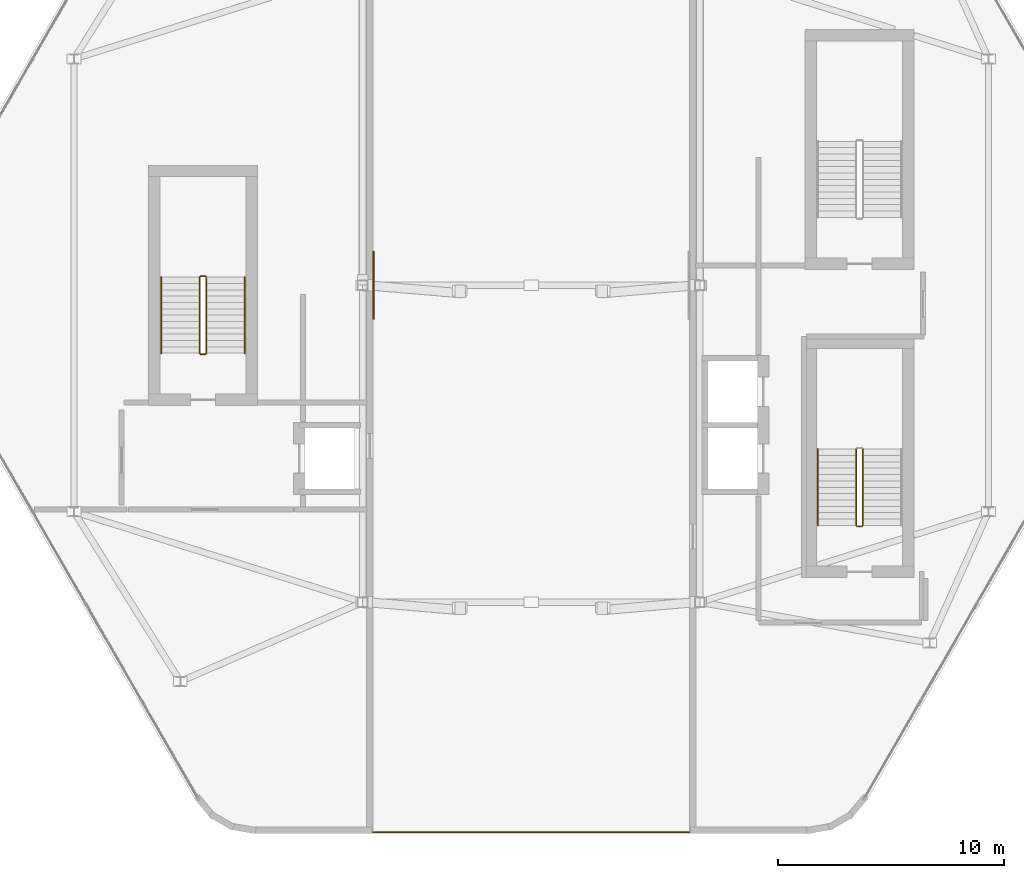
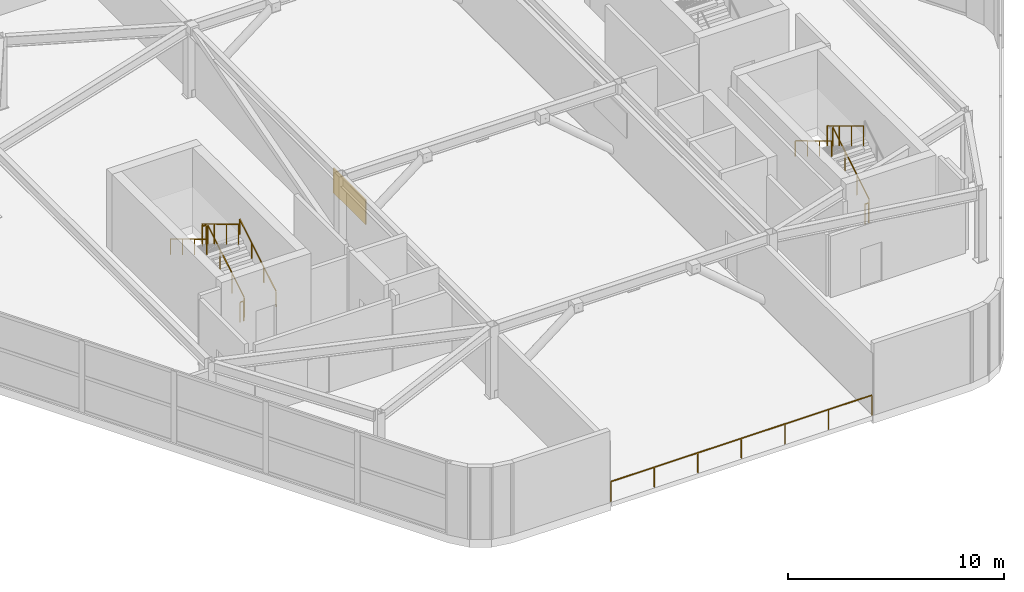
# One storey, part 16 of 17: 11 railings, 1 shading device.
"""IFC4 building model written with IfcOpenShell, lengths in metres."""

from ifc_helpers import new_model, si_unit, direction, frame, origin, origin_2d, place, context, subcontext, project, spatial, rectangle, extrude, material, layer, layer_set, type_object, element, save


model = new_model("IFC4")

# Units and contexts
model_context = context("Model", 3, precision=1e-05, world=origin(), true_north=direction((0.0, 1.0)))
body_context = subcontext(model_context, "Body", "Model", "MODEL_VIEW")
ifc_project = project(units=[si_unit("LENGTHUNIT", "METRE"), si_unit("AREAUNIT", "SQUARE_METRE"), si_unit("VOLUMEUNIT", "CUBIC_METRE"), si_unit("PLANEANGLEUNIT", "RADIAN"), si_unit("MASSUNIT", "GRAM", prefix="KILO")], contexts=[model_context])

# Site, building, storey
site_placement = place(None, origin())
site = spatial("IfcSite", under=ifc_project, at=site_placement, CompositionType="ELEMENT")
building_placement = place(site_placement, origin())
building = spatial("IfcBuilding", under=site, at=building_placement, Name="Zuhravey Tower", CompositionType="ELEMENT")
storey_placement = place(building_placement, frame((0.0, 0.0, 361.39990234375)))
storey = spatial("IfcBuildingStorey", under=building, at=storey_placement, Name="L92", CompositionType="ELEMENT", Elevation=361.39990234375)

# Railing
ifc_material_1 = material(Name="Stainless steel 316 and laminated glass", Category="steel")
railing_type_1 = type_object("IfcRailingType", Name="Balcony & Terrace Guardrail 1150", PredefinedType="BALUSTRADE", material=ifc_material_1)
railing_1_placement = place(storey_placement, frame((42.97998046875, 7.845947265625, 0.0)))
element("IfcRailing", 1, at=railing_1_placement, inside=storey, type_object=railing_type_1, Name="L92 Wind-Portal Open Edge Guardrail 2", PredefinedType="BALUSTRADE", context=body_context, shape_type="SweptSolid", body=[
    extrude(rectangle(XDim=0.048095703125, YDim=0.048095703125, at=origin_2d()), frame((-0.001953125, 0.0, 1.1259765625), z_axis=(-1.0, 0.0, 0.0), x_axis=(0.0, -1.0, 0.0)), (0.0, 0.0, 1.0), 13.9560546875),
    extrude(rectangle(XDim=0.0419921875, YDim=0.0419921875, at=origin_2d()), origin(), (0.0, 0.0, 1.0), 1.099853515625),
    extrude(rectangle(XDim=0.0419921875, YDim=0.0419921875, at=origin_2d()), frame((-2.32666015625, 0.0, 0.0)), (0.0, 0.0, 1.0), 1.099853515625),
    extrude(rectangle(XDim=0.0419921875, YDim=0.0419921875, at=origin_2d()), frame((-4.6533203125, 0.0, 0.0)), (0.0, 0.0, 1.0), 1.099853515625),
    extrude(rectangle(XDim=0.0419921875, YDim=0.0419921875, at=origin_2d()), frame((-6.97998046875, 0.0, 0.0)), (0.0, 0.0, 1.0), 1.099853515625),
    extrude(rectangle(XDim=0.0419921875, YDim=0.0419921875, at=origin_2d()), frame((-9.306640625, 0.0, 0.0)), (0.0, 0.0, 1.0), 1.099853515625),
    extrude(rectangle(XDim=0.0419921875, YDim=0.0419921875, at=origin_2d()), frame((-11.63330078125, 0.0, 0.0)), (0.0, 0.0, 1.0), 1.099853515625),
    extrude(rectangle(XDim=0.0419921875, YDim=0.0419921875, at=origin_2d()), frame((-13.9599609375, 0.0, 0.0)), (0.0, 0.0, 1.0), 1.099853515625),
])

# Shading device
ifc_material_2 = material(Name="Bronze-anodised perforated aluminium", Category="aluminium")
ifc_layer = layer(ifc_material_2, 0.06005859375)
ifc_layer_set = layer_set([ifc_layer], Name="Bronze-anodised perforated aluminium")
shading_device_type = type_object("IfcShadingDeviceType", Name="Girih Mashrabiya Solar Screen", PredefinedType="USERDEFINED", material=ifc_layer_set)
shading_device_placement = place(storey_placement, frame((29.030029296875, 32.0, 1.900146484375), z_axis=(0.0, 0.0, 1.0), x_axis=(0.0, 1.0, 0.0)))
element("IfcShadingDevice", 2, at=shading_device_placement, inside=storey, type_object=shading_device_type, Name="L92 WEST Wind-Portal Girih Screen SCR1", ObjectType="SCREEN", PredefinedType="USERDEFINED", context=body_context, shape_type="SweptSolid", body=[
    extrude(rectangle(XDim=3.0, YDim=0.06005859375, at=origin_2d()), origin(), (0.0, 0.0, 1.0), 1.39990234375),
])

# Railings
ifc_material_3 = material(Name="Brushed stainless steel", Category="steel")
railing_type_2 = type_object("IfcRailingType", Name="Stair Wall Handrail 900", PredefinedType="HANDRAIL", material=ifc_material_3)
railing_2_placement = place(storey_placement, frame((23.35009765625, 29.0, 0.16943359375)))
element("IfcRailing", 3, at=railing_2_placement, inside=storey, type_object=railing_type_2, Name="L92 CST1 stair handrail 1", PredefinedType="HANDRAIL", context=body_context, shape_type="SweptSolid", body=[
    extrude(rectangle(XDim=0.048095703125, YDim=0.048095703125, at=origin_2d()), frame((0.0, 0.001708984375, 0.876953125), z_axis=(0.0, 0.855836976705, 0.517245656632), x_axis=(-1.0, 0.0, 0.0)), (0.0, 0.0, 1.0), 3.922119140625),
    extrude(rectangle(XDim=0.0419921875, YDim=0.0419921875, at=origin_2d()), origin(), (0.0, 0.0, 1.0), 0.849853515625),
    extrude(rectangle(XDim=0.0419921875, YDim=0.0419921875, at=origin_2d()), frame((0.0, 1.1201171875, 0.677001953125)), (0.0, 0.0, 1.0), 0.849853515625),
    extrude(rectangle(XDim=0.0419921875, YDim=0.0419921875, at=origin_2d()), frame((0.0, 2.239990234375, 1.353759765625)), (0.0, 0.0, 1.0), 0.849853515625),
    extrude(rectangle(XDim=0.0419921875, YDim=0.0419921875, at=origin_2d()), frame((0.0, 3.360107421875, 2.03076171875)), (0.0, 0.0, 1.0), 0.849853515625),
])
for number, where, name in (
    (4, (19.64990234375, 32.360107421875, 2.369384765625), "L92 CST1 stair handrail 2"),
    (5, (48.64990234375, 24.760009765625, 2.369384765625), "L92 CST2 stair handrail 2"),
):
    element("IfcRailing", number, at=place(storey_placement, frame(where)), inside=storey, type_object=railing_type_2, Name=name, PredefinedType="HANDRAIL", context=body_context, shape_type="SweptSolid", body=[
        extrude(rectangle(XDim=0.048095703125, YDim=0.048095703125, at=origin_2d()), frame((0.0, -0.001708984375, 0.876953125), z_axis=(0.0, -0.855836976705, 0.517245656632), x_axis=(1.0, 0.0, 0.0)), (0.0, 0.0, 1.0), 3.922119140625),
        extrude(rectangle(XDim=0.0419921875, YDim=0.0419921875, at=origin_2d()), origin(), (0.0, 0.0, 1.0), 0.849853515625),
        extrude(rectangle(XDim=0.0419921875, YDim=0.0419921875, at=origin_2d()), frame((0.0, -1.1201171875, 0.677001953125)), (0.0, 0.0, 1.0), 0.849853515625),
        extrude(rectangle(XDim=0.0419921875, YDim=0.0419921875, at=origin_2d()), frame((0.0, -2.239990234375, 1.353759765625)), (0.0, 0.0, 1.0), 0.849853515625),
        extrude(rectangle(XDim=0.0419921875, YDim=0.0419921875, at=origin_2d()), frame((0.0, -3.360107421875, 2.03076171875)), (0.0, 0.0, 1.0), 0.849853515625),
    ])
ifc_material_4 = material(Name="Painted tubular steel", Category="steel")
railing_type_3 = type_object("IfcRailingType", Name="Stair Well Guardrail 1150", PredefinedType="GUARDRAIL", material=ifc_material_4)
railing_3_placement = place(storey_placement, frame((21.64990234375, 29.0, 0.16943359375)))
element("IfcRailing", 6, at=railing_3_placement, inside=storey, type_object=railing_type_3, Name="L92 CST1 stair guard 1", PredefinedType="GUARDRAIL", context=body_context, shape_type="SweptSolid", body=[
    extrude(rectangle(XDim=0.048095703125, YDim=0.048095703125, at=origin_2d()), frame((0.0, 0.001708984375, 1.126953125), z_axis=(0.0, 0.855836976705, 0.517245656632), x_axis=(-1.0, 0.0, 0.0)), (0.0, 0.0, 1.0), 3.922119140625),
    extrude(rectangle(XDim=0.0419921875, YDim=0.0419921875, at=origin_2d()), origin(), (0.0, 0.0, 1.0), 1.099853515625),
    extrude(rectangle(XDim=0.0419921875, YDim=0.0419921875, at=origin_2d()), frame((0.0, 1.1201171875, 0.677001953125)), (0.0, 0.0, 1.0), 1.099853515625),
    extrude(rectangle(XDim=0.0419921875, YDim=0.0419921875, at=origin_2d()), frame((0.0, 2.239990234375, 1.353759765625)), (0.0, 0.0, 1.0), 1.099853515625),
    extrude(rectangle(XDim=0.0419921875, YDim=0.0419921875, at=origin_2d()), frame((0.0, 3.360107421875, 2.03076171875)), (0.0, 0.0, 1.0), 1.099853515625),
])
railing_4_placement = place(storey_placement, frame((21.60009765625, 32.409912109375, 2.2001953125)))
element("IfcRailing", 7, at=railing_4_placement, inside=storey, type_object=railing_type_3, Name="L92 CST1 stair guard 2", PredefinedType="GUARDRAIL", context=body_context, shape_type="SweptSolid", body=[
    extrude(rectangle(XDim=0.048095703125, YDim=0.048095703125, at=origin_2d()), frame((-0.001953125, 0.0, 1.1259765625), z_axis=(-1.0, 0.0, 0.0), x_axis=(0.0, -1.0, 0.0)), (0.0, 0.0, 1.0), 0.1962890625),
    extrude(rectangle(XDim=0.0419921875, YDim=0.0419921875, at=origin_2d()), origin(), (0.0, 0.0, 1.0), 1.099853515625),
    extrude(rectangle(XDim=0.0419921875, YDim=0.0419921875, at=origin_2d()), frame((-0.2001953125, 0.0, 0.0)), (0.0, 0.0, 1.0), 1.099853515625),
])
railing_5_placement = place(storey_placement, frame((21.35009765625, 32.360107421875, 2.369384765625)))
element("IfcRailing", 8, at=railing_5_placement, inside=storey, type_object=railing_type_3, Name="L92 CST1 stair guard 3", PredefinedType="GUARDRAIL", context=body_context, shape_type="SweptSolid", body=[
    extrude(rectangle(XDim=0.048095703125, YDim=0.048095703125, at=origin_2d()), frame((0.0, -0.001708984375, 1.126953125), z_axis=(0.0, -0.855836976705, 0.517245656632), x_axis=(1.0, 0.0, 0.0)), (0.0, 0.0, 1.0), 3.922119140625),
    extrude(rectangle(XDim=0.0419921875, YDim=0.0419921875, at=origin_2d()), origin(), (0.0, 0.0, 1.0), 1.099853515625),
    extrude(rectangle(XDim=0.0419921875, YDim=0.0419921875, at=origin_2d()), frame((0.0, -1.1201171875, 0.677001953125)), (0.0, 0.0, 1.0), 1.099853515625),
    extrude(rectangle(XDim=0.0419921875, YDim=0.0419921875, at=origin_2d()), frame((0.0, -2.239990234375, 1.353759765625)), (0.0, 0.0, 1.0), 1.099853515625),
    extrude(rectangle(XDim=0.0419921875, YDim=0.0419921875, at=origin_2d()), frame((0.0, -3.360107421875, 2.03076171875)), (0.0, 0.0, 1.0), 1.099853515625),
])
railing_6_placement = place(storey_placement, frame((21.60009765625, 28.949951171875, 0.0)))
element("IfcRailing", 9, at=railing_6_placement, inside=storey, type_object=railing_type_3, Name="L92 CST1 stair guard 4", PredefinedType="GUARDRAIL", context=body_context, shape_type="SweptSolid", body=[
    extrude(rectangle(XDim=0.048095703125, YDim=0.048095703125, at=origin_2d()), frame((-0.001953125, 0.0, 1.1259765625), z_axis=(-1.0, 0.0, 0.0), x_axis=(0.0, -1.0, 0.0)), (0.0, 0.0, 1.0), 0.1962890625),
    extrude(rectangle(XDim=0.0419921875, YDim=0.0419921875, at=origin_2d()), origin(), (0.0, 0.0, 1.0), 1.099853515625),
    extrude(rectangle(XDim=0.0419921875, YDim=0.0419921875, at=origin_2d()), frame((-0.2001953125, 0.0, 0.0)), (0.0, 0.0, 1.0), 1.099853515625),
])
railing_7_placement = place(storey_placement, frame((50.64990234375, 21.39990234375, 0.16943359375)))
element("IfcRailing", 10, at=railing_7_placement, inside=storey, type_object=railing_type_3, Name="L92 CST2 stair guard 1", PredefinedType="GUARDRAIL", context=body_context, shape_type="SweptSolid", body=[
    extrude(rectangle(XDim=0.048095703125, YDim=0.048095703125, at=origin_2d()), frame((0.0, 0.001708984375, 1.126953125), z_axis=(0.0, 0.855836976705, 0.517245656632), x_axis=(-1.0, 0.0, 0.0)), (0.0, 0.0, 1.0), 3.922119140625),
    extrude(rectangle(XDim=0.0419921875, YDim=0.0419921875, at=origin_2d()), origin(), (0.0, 0.0, 1.0), 1.099853515625),
    extrude(rectangle(XDim=0.0419921875, YDim=0.0419921875, at=origin_2d()), frame((0.0, 1.1201171875, 0.677001953125)), (0.0, 0.0, 1.0), 1.099853515625),
    extrude(rectangle(XDim=0.0419921875, YDim=0.0419921875, at=origin_2d()), frame((0.0, 2.239990234375, 1.353759765625)), (0.0, 0.0, 1.0), 1.099853515625),
    extrude(rectangle(XDim=0.0419921875, YDim=0.0419921875, at=origin_2d()), frame((0.0, 3.360107421875, 2.03076171875)), (0.0, 0.0, 1.0), 1.099853515625),
])
railing_8_placement = place(storey_placement, frame((50.35009765625, 24.760009765625, 2.369384765625)))
element("IfcRailing", 11, at=railing_8_placement, inside=storey, type_object=railing_type_3, Name="L92 CST2 stair guard 3", PredefinedType="GUARDRAIL", context=body_context, shape_type="SweptSolid", body=[
    extrude(rectangle(XDim=0.048095703125, YDim=0.048095703125, at=origin_2d()), frame((0.0, -0.001708984375, 1.126953125), z_axis=(0.0, -0.855836976705, 0.517245656632), x_axis=(1.0, 0.0, 0.0)), (0.0, 0.0, 1.0), 3.922119140625),
    extrude(rectangle(XDim=0.0419921875, YDim=0.0419921875, at=origin_2d()), origin(), (0.0, 0.0, 1.0), 1.099853515625),
    extrude(rectangle(XDim=0.0419921875, YDim=0.0419921875, at=origin_2d()), frame((0.0, -1.1201171875, 0.677001953125)), (0.0, 0.0, 1.0), 1.099853515625),
    extrude(rectangle(XDim=0.0419921875, YDim=0.0419921875, at=origin_2d()), frame((0.0, -2.239990234375, 1.353759765625)), (0.0, 0.0, 1.0), 1.099853515625),
    extrude(rectangle(XDim=0.0419921875, YDim=0.0419921875, at=origin_2d()), frame((0.0, -3.360107421875, 2.03076171875)), (0.0, 0.0, 1.0), 1.099853515625),
])
railing_9_placement = place(storey_placement, frame((50.60009765625, 21.35009765625, 0.0)))
element("IfcRailing", 12, at=railing_9_placement, inside=storey, type_object=railing_type_3, Name="L92 CST2 stair guard 4", PredefinedType="GUARDRAIL", context=body_context, shape_type="SweptSolid", body=[
    extrude(rectangle(XDim=0.048095703125, YDim=0.048095703125, at=origin_2d()), frame((-0.001953125, 0.0, 1.1259765625), z_axis=(-1.0, 0.0, 0.0), x_axis=(0.0, -1.0, 0.0)), (0.0, 0.0, 1.0), 0.1962890625),
    extrude(rectangle(XDim=0.0419921875, YDim=0.0419921875, at=origin_2d()), origin(), (0.0, 0.0, 1.0), 1.099853515625),
    extrude(rectangle(XDim=0.0419921875, YDim=0.0419921875, at=origin_2d()), frame((-0.2001953125, 0.0, 0.0)), (0.0, 0.0, 1.0), 1.099853515625),
])

save(model, "model.ifc")
